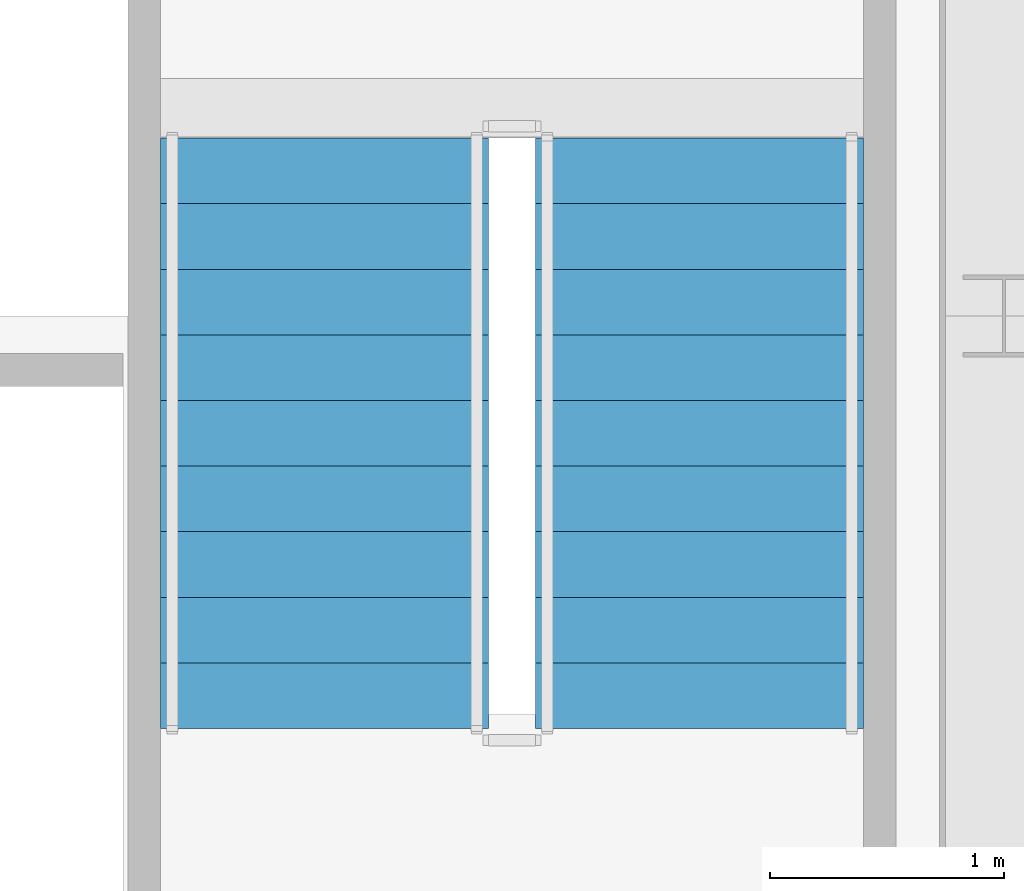
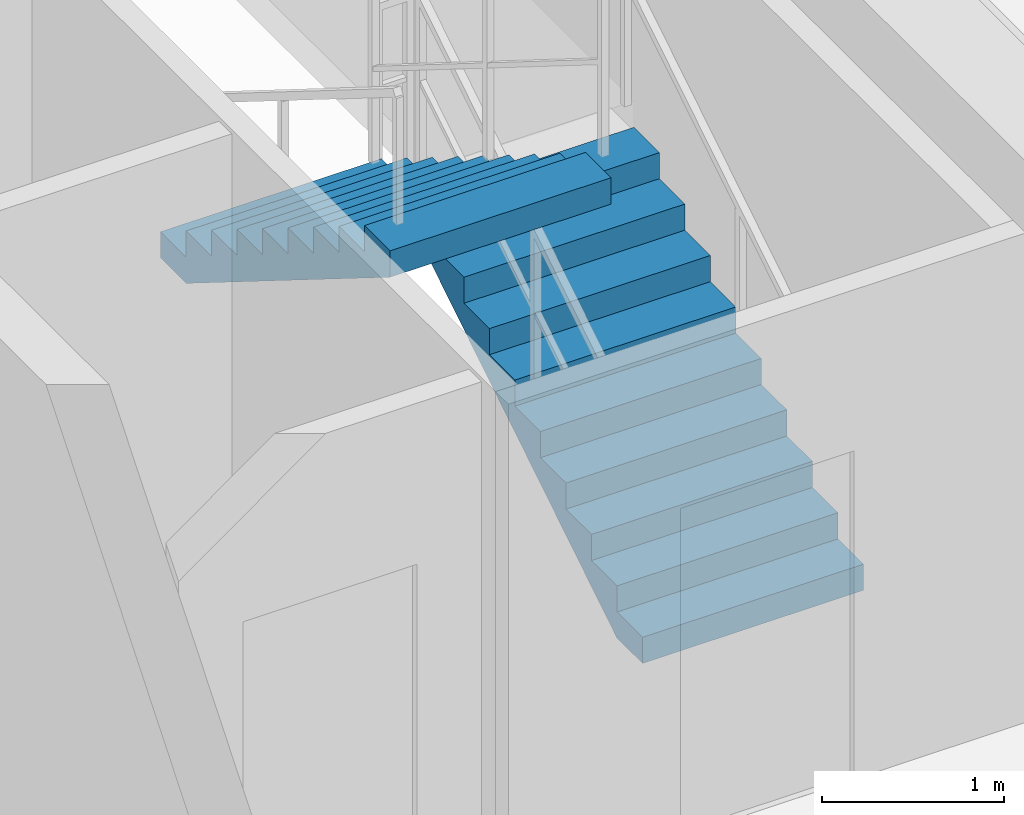
# One storey, part 36 of 37: 2 stair flights, 1 element without a shape of its own.
"""IFC4 building model written with IfcOpenShell, lengths in metres."""

from ifc_helpers import new_model, si_unit, direction, frame, origin, place, context, subcontext, project, spatial, polyline, outline, extrude, source, transform, mapped, material, type_object, element, aggregate, save


model = new_model("IFC4")

# Units and contexts
model_context = context("Model", 3, precision=1e-05, world=origin(), true_north=direction((0.0, 1.0)))
body_context = subcontext(model_context, "Body", "Model", "MODEL_VIEW")
ifc_project = project(units=[si_unit("LENGTHUNIT", "METRE"), si_unit("AREAUNIT", "SQUARE_METRE"), si_unit("VOLUMEUNIT", "CUBIC_METRE"), si_unit("PLANEANGLEUNIT", "RADIAN"), si_unit("MASSUNIT", "GRAM", prefix="KILO"), si_unit("THERMODYNAMICTEMPERATUREUNIT", "KELVIN"), si_unit("POWERUNIT", "WATT")], contexts=[model_context])

# Site, building, storey
site_placement = place(None, origin())
site = spatial("IfcSite", under=ifc_project, at=site_placement, CompositionType="ELEMENT")
building_placement = place(site_placement, origin())
building = spatial("IfcBuilding", under=site, at=building_placement, Name="Yuzanri Waterfront Tower", CompositionType="ELEMENT")
storey_placement = place(building_placement, frame((0.0, 0.0, 278.60009765625)))
storey = spatial("IfcBuildingStorey", under=building, at=storey_placement, Name="L74", CompositionType="ELEMENT", Elevation=278.60009765625)

# Stair, stair flights
ifc_material_1 = material(Name="Concrete C40", Category="concrete")
stair_type = type_object("IfcStairType", Name="Concrete C40 Core Dogleg Exit Stair", PredefinedType="HALF_TURN_STAIR", material=ifc_material_1)
stair_placement = place(storey_placement, origin())
stair = element("IfcStair", 1, at=stair_placement, inside=storey, type_object=stair_type, Name="L74 Smoke-Proof Core Stair ST-02", PredefinedType="HALF_TURN_STAIR")
ifc_material_2 = material(Name="Concrete C40", Category="concrete")
stair_flight_type = type_object("IfcStairFlightType", Name="Concrete C40 Precast Stair Flight 1380", PredefinedType="STRAIGHT", material=ifc_material_2)
shared_shape = source(origin(), body_context, "Body", "SweptSolid", [
    extrude(outline(polyline([(0.0, 0.0), (0.0, 0.175048828125), (0.280029296875, 0.175048828125), (0.280029296875, 0.35009765625), (0.56005859375, 0.35009765625), (0.56005859375, 0.52490234375), (0.840087890625, 0.52490234375), (0.840087890625, 0.699951171875), (1.1201171875, 0.699951171875), (1.1201171875, 0.875), (1.39990234375, 0.875), (1.39990234375, 1.050048828125), (1.679931640625, 1.050048828125), (1.679931640625, 1.22509765625), (1.9599609375, 1.22509765625), (1.9599609375, 1.39990234375), (2.239990234375, 1.39990234375), (2.239990234375, 1.574951171875), (2.52001953125, 1.574951171875), (2.52001953125, 1.75), (2.52001953125, 1.398193359375), (0.28271484375, 0.0), (0.0, 0.0)])), frame((0.0, 0.699951171875, 0.0), z_axis=(0.0, -1.0, 0.0), x_axis=(1.0, 0.0, 0.0)), (0.0, 0.0, 1.0), 1.39990234375),
])
stair_flight_1_placement = place(storey_placement, frame((48.89990234375, 24.0400390625, 0.0), z_axis=(0.0, 0.0, 1.0), x_axis=(0.0, 1.0, 0.0)))
stair_flight_1 = element("IfcStairFlight", 2, at=stair_flight_1_placement, type_object=stair_flight_type, Name="ST-02 flight 1", NumberOfRisers=10, NumberOfTreads=9, PredefinedType="STRAIGHT", RiserHeight=0.175, TreadLength=0.28, context=body_context, shape_type="MappedRepresentation", body=[
    mapped(shared_shape, transform((0.0, 0.0, 0.0), scale=1.0)),
])
stair_flight_2_placement = place(storey_placement, frame((47.300048828125, 26.56005859375, 1.75), z_axis=(0.0, 0.0, 1.0), x_axis=(0.0, -1.0, 0.0)))
stair_flight_2 = element("IfcStairFlight", 3, at=stair_flight_2_placement, type_object=stair_flight_type, Name="ST-02 flight 2", NumberOfRisers=10, NumberOfTreads=9, PredefinedType="STRAIGHT", RiserHeight=0.175, TreadLength=0.28, context=body_context, shape_type="MappedRepresentation", body=[
    mapped(shared_shape, transform((0.0, 0.0, 0.0), scale=1.0)),
])
aggregate(stair, [stair_flight_1, stair_flight_2])

save(model, "model.ifc")
